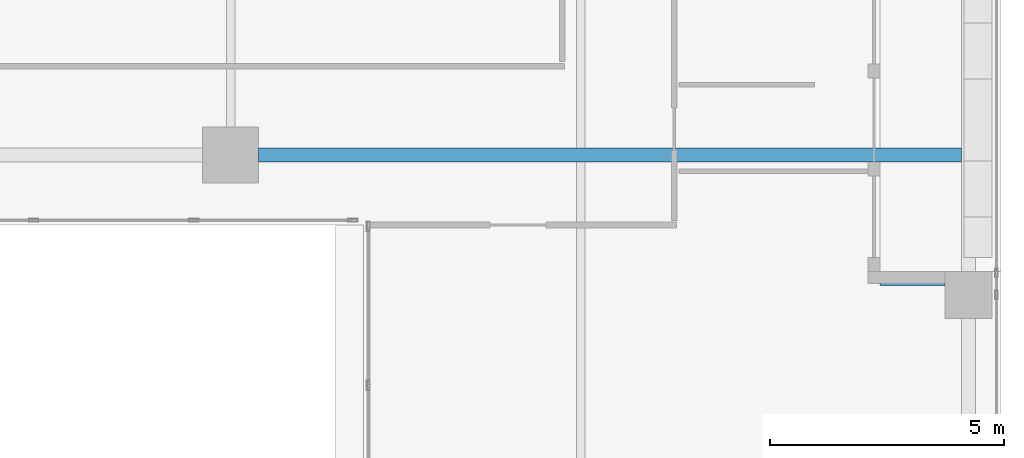
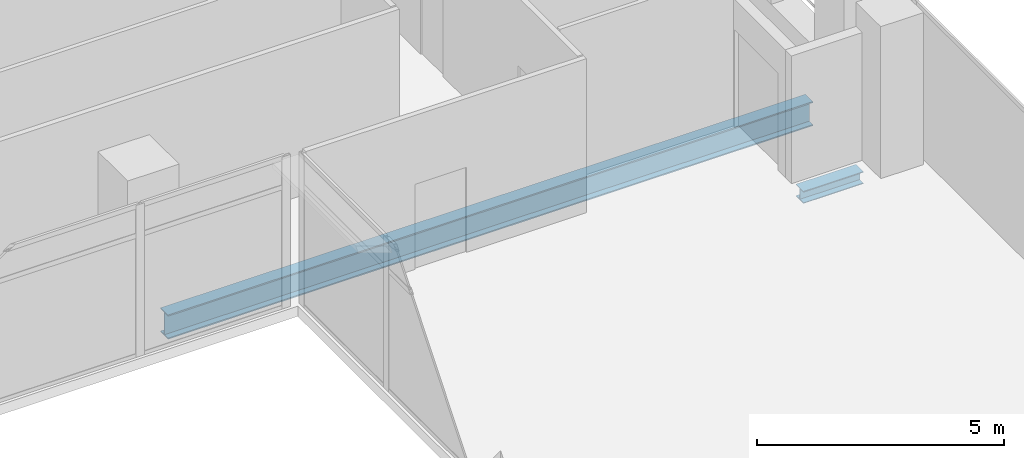
# One storey, part 15 of 38: 2 beams.
"""IFC4 building model written with IfcOpenShell, lengths in metres."""

from ifc_helpers import new_model, si_unit, direction, frame, origin, origin_2d, place, context, subcontext, project, spatial, i_section, extrude, source, transform, mapped, material, material_profile, profile_set, type_object, element, save


model = new_model("IFC4")

# Units and contexts
model_context = context("Model", 3, precision=1e-05, world=origin(), true_north=direction((0.0, 1.0)))
body_context = subcontext(model_context, "Body", "Model", "MODEL_VIEW")
ifc_project = project(units=[si_unit("LENGTHUNIT", "METRE"), si_unit("AREAUNIT", "SQUARE_METRE"), si_unit("VOLUMEUNIT", "CUBIC_METRE"), si_unit("PLANEANGLEUNIT", "RADIAN"), si_unit("MASSUNIT", "GRAM", prefix="KILO")], contexts=[model_context])

# Site, building, storey
site_placement = place(None, origin())
site = spatial("IfcSite", under=ifc_project, at=site_placement, CompositionType="ELEMENT")
building_placement = place(site_placement, origin())
building = spatial("IfcBuilding", under=site, at=building_placement, Name="Khomas Fold Tower", CompositionType="ELEMENT")
storey_placement = place(building_placement, frame((0.0, 0.0, 172.699951171875)))
storey = spatial("IfcBuildingStorey", under=building, at=storey_placement, Name="L37", CompositionType="ELEMENT", Elevation=172.699951171875)

# Beams
ifc_material_1 = material(Name="Steel S355", Category="steel")
ifc_material_profile_1 = material_profile(ifc_material_1, i_section(OverallWidth=0.300048828125, OverallDepth=0.60009765625, WebThickness=0.015380859375, FlangeThickness=0.030029296875, at=origin_2d()), Name="HE 600 B")
ifc_profile_set_1 = profile_set([ifc_material_profile_1], Name="Steel S355")
beam_type_1 = type_object("IfcBeamType", Name="HE 600 B beam GB5", PredefinedType="BEAM", material=ifc_profile_set_1)
shared_shape_1 = source(origin(), body_context, "Body", "SweptSolid", [
    extrude(i_section(OverallWidth=0.300048828125, OverallDepth=0.60009765625, WebThickness=0.015380859375, FlangeThickness=0.030029296875, at=origin_2d()), origin(), (0.0, 0.0, 1.0), 15.0498046875),
])
beam_1_placement = place(storey_placement, frame((35.10009765625, 22.5, -0.550048828125), z_axis=(1.0, 0.0, 0.0), x_axis=(0.0, 1.0, 0.0)))
element("IfcBeam", 1, at=beam_1_placement, inside=storey, type_object=beam_type_1, Name="GB5", PredefinedType="BEAM", context=body_context, shape_type="MappedRepresentation", body=[
    mapped(shared_shape_1, transform((0.0, 0.0, 0.0))),
])
ifc_material_2 = material(Name="Steel S355", Category="steel")
ifc_material_profile_2 = material_profile(ifc_material_2, i_section(OverallWidth=0.300048828125, OverallDepth=0.300048828125, WebThickness=0.010986328125, FlangeThickness=0.01904296875, at=origin_2d()), Name="HE 300 B")
ifc_profile_set_2 = profile_set([ifc_material_profile_2], Name="Steel S355")
beam_type_2 = type_object("IfcBeamType", Name="HE 300 B beam BB1", PredefinedType="BEAM", material=ifc_profile_set_2)
shared_shape_2 = source(origin(), body_context, "Body", "SweptSolid", [
    extrude(i_section(OverallWidth=0.300048828125, OverallDepth=0.300048828125, WebThickness=0.010986328125, FlangeThickness=0.01904296875, at=origin_2d()), origin(), (0.0, 0.0, 1.0), 1.400146484375),
])
beam_2_placement = place(storey_placement, frame((48.39990234375, 19.85009765625, -0.39990234375), z_axis=(1.0, 0.0, 0.0), x_axis=(0.0, 1.0, 0.0)))
element("IfcBeam", 2, at=beam_2_placement, inside=storey, type_object=beam_type_2, Name="BB1", PredefinedType="BEAM", context=body_context, shape_type="MappedRepresentation", body=[
    mapped(shared_shape_2, transform((0.0, 0.0, 0.0))),
])

save(model, "model.ifc")
